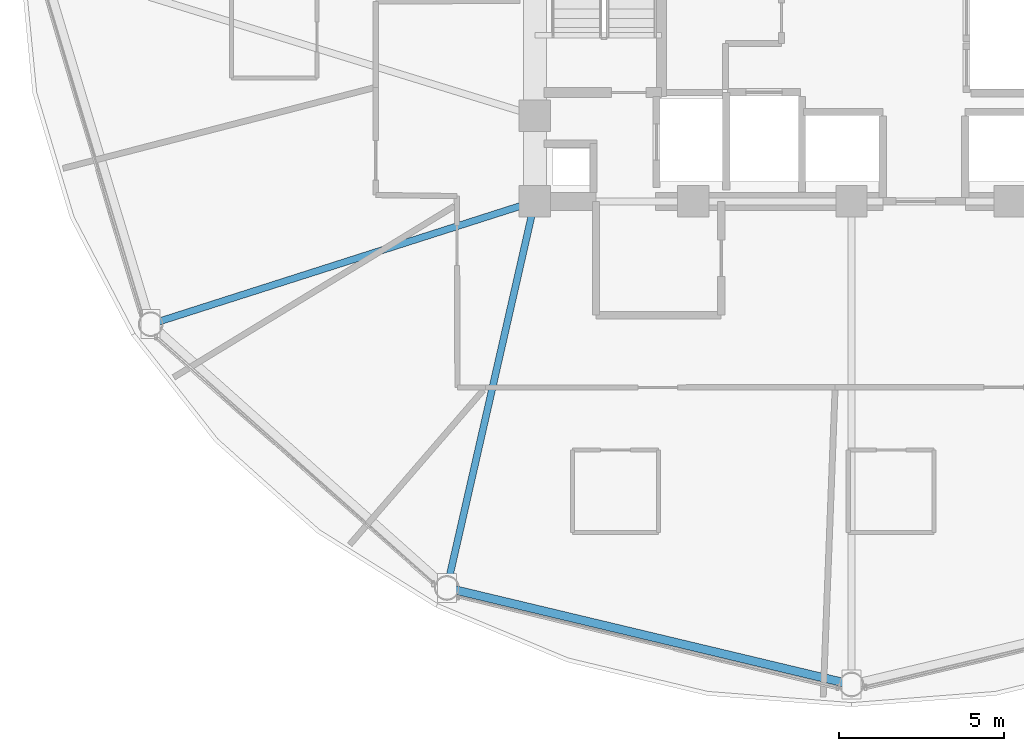
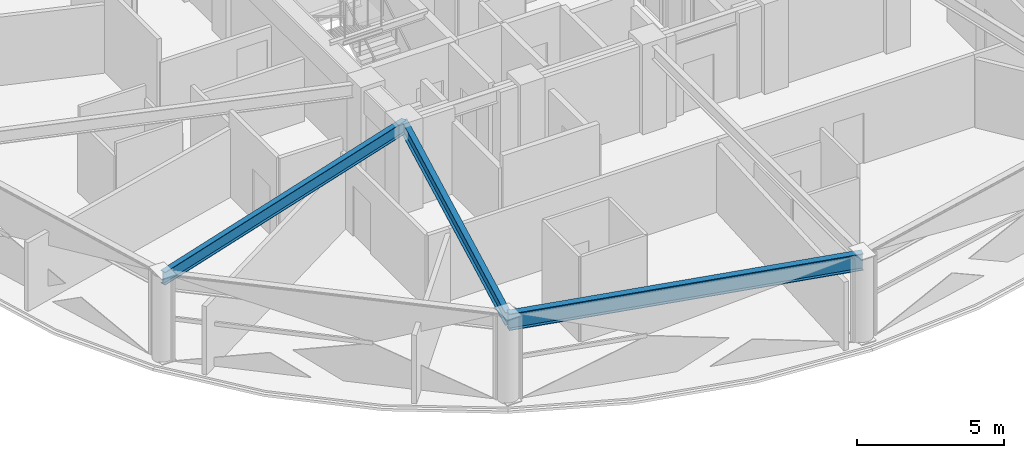
# One storey, part 4 of 29: 3 beams.
"""IFC4 building model written with IfcOpenShell, lengths in metres."""

from ifc_helpers import new_model, si_unit, direction, frame, origin, origin_2d, place, context, subcontext, project, spatial, i_section, extrude, material, material_profile, profile_set, type_object, element, save


model = new_model("IFC4")

# Units and contexts
model_context = context("Model", 3, precision=1e-05, world=origin(), true_north=direction((0.0, 1.0)))
body_context = subcontext(model_context, "Body", "Model", "MODEL_VIEW")
ifc_project = project(units=[si_unit("LENGTHUNIT", "METRE"), si_unit("AREAUNIT", "SQUARE_METRE"), si_unit("VOLUMEUNIT", "CUBIC_METRE"), si_unit("PLANEANGLEUNIT", "RADIAN"), si_unit("MASSUNIT", "GRAM", prefix="KILO")], contexts=[model_context])

# Site, building, storey
site_placement = place(None, origin())
site = spatial("IfcSite", under=ifc_project, at=site_placement, CompositionType="ELEMENT")
building_placement = place(site_placement, origin())
building = spatial("IfcBuilding", under=site, at=building_placement, Name="Vantalir Tower", CompositionType="ELEMENT")
storey_placement = place(building_placement, frame((0.0, 0.0, 168.449951171875)))
storey = spatial("IfcBuildingStorey", under=building, at=storey_placement, Name="L42", CompositionType="ELEMENT", Elevation=168.449951171875)

# Beams
ifc_material_1 = material(Name="Steel S355", Category="steel")
ifc_material_profile_1 = material_profile(ifc_material_1, i_section(OverallWidth=0.2109375, OverallDepth=0.5390625, WebThickness=0.01171875, FlangeThickness=0.018798828125, at=origin_2d()), Name="Steel S355")
ifc_profile_set_1 = profile_set([ifc_material_profile_1], Name="Steel S355")
beam_type_1 = type_object("IfcBeamType", Name="BM-RB-533x210", PredefinedType="BEAM", material=ifc_profile_set_1)
beam_1_placement = place(storey_placement, frame((10.2509765625, 14.075927734375, 3.301025390625), z_axis=(0.952508018869, 0.30451350379, 0.0), x_axis=(-0.30451350379, 0.952508018869, 0.0)))
element("IfcBeam", 1, at=beam_1_placement, inside=storey, type_object=beam_type_1, Name="L42 Radial Floor Beam 08", PredefinedType="BEAM", context=body_context, shape_type="SweptSolid", body=[
    extrude(i_section(OverallWidth=0.2109375, OverallDepth=0.5390625, WebThickness=0.01171875, FlangeThickness=0.018798828125, at=origin_2d()), origin(), (0.0, 0.0, 1.0), 12.229736328125),
])
beam_2_placement = place(storey_placement, frame((19.23193359375, 6.0791015625, 3.301025390625), z_axis=(0.221946768122, 0.97505878393, 0.0), x_axis=(-0.97505878393, 0.221946768122, 0.0)))
element("IfcBeam", 2, at=beam_2_placement, inside=storey, type_object=beam_type_1, Name="L42 Radial Floor Beam 09", PredefinedType="BEAM", context=body_context, shape_type="SweptSolid", body=[
    extrude(i_section(OverallWidth=0.2109375, OverallDepth=0.5390625, WebThickness=0.01171875, FlangeThickness=0.018798828125, at=origin_2d()), origin(), (0.0, 0.0, 1.0), 12.020751953125),
])
ifc_material_2 = material(Name="Steel S460", Category="steel")
ifc_material_profile_2 = material_profile(ifc_material_2, i_section(OverallWidth=0.256103515625, OverallDepth=0.693115234375, WebThickness=0.014404296875, FlangeThickness=0.023681640625, at=origin_2d()), Name="Steel S460")
ifc_profile_set_2 = profile_set([ifc_material_profile_2], Name="Steel S460")
beam_type_2 = type_object("IfcBeamType", Name="BM-RG-686x254", PredefinedType="USERDEFINED", material=ifc_profile_set_2)
beam_3_placement = place(storey_placement, frame((19.23193359375, 6.0791015625, 3.22412109375), z_axis=(0.972698315596, -0.232073235934, 0.0), x_axis=(0.232073235934, 0.972698315596, 0.0)))
element("IfcBeam", 3, at=beam_3_placement, inside=storey, type_object=beam_type_2, Name="L42 Circumferential Ring Girder 09", ObjectType="GIRDER", PredefinedType="USERDEFINED", context=body_context, shape_type="SweptSolid", body=[
    extrude(i_section(OverallWidth=0.256103515625, OverallDepth=0.693115234375, WebThickness=0.014404296875, FlangeThickness=0.023681640625, at=origin_2d()), origin(), (0.0, 0.0, 1.0), 12.6123046875),
])

save(model, "model.ifc")
